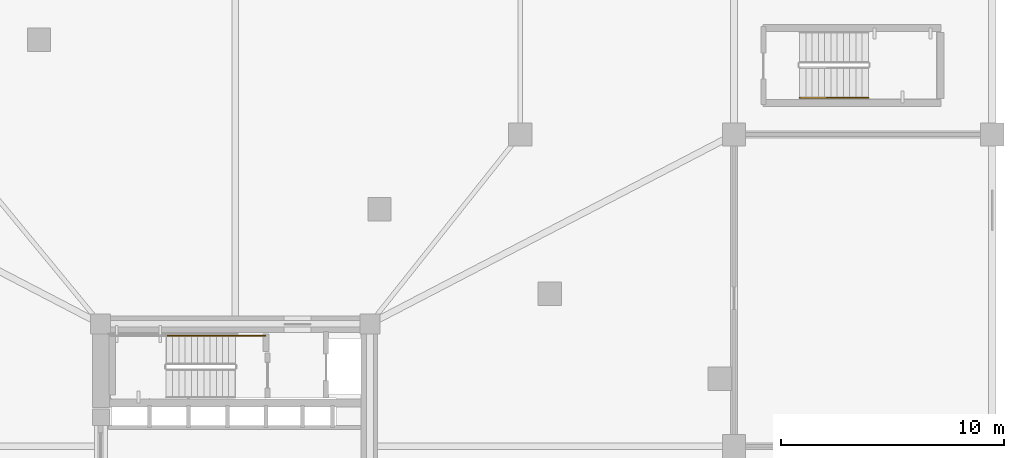
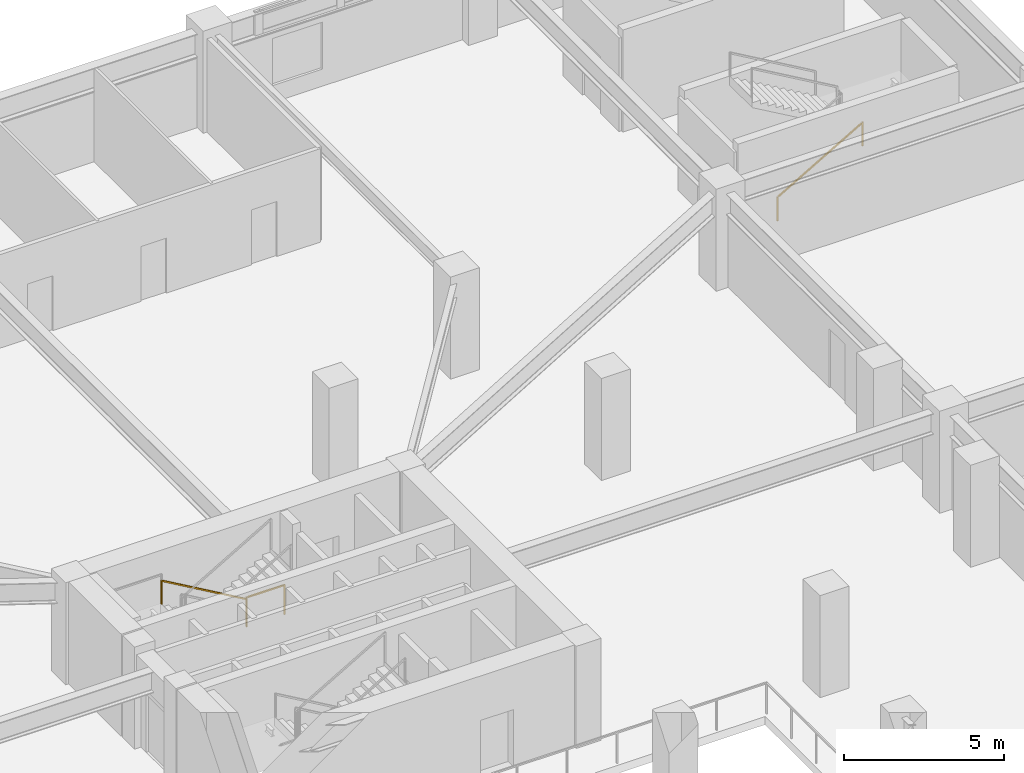
# One storey, part 15 of 16: 3 railings.
"""IFC4 building model written with IfcOpenShell, lengths in metres."""

from ifc_helpers import new_model, si_unit, direction, frame, origin, origin_2d, place, context, subcontext, project, spatial, rectangle, extrude, material, type_object, element, save


model = new_model("IFC4")

# Units and contexts
model_context = context("Model", 3, precision=1e-05, world=origin(), true_north=direction((0.0, 1.0)))
body_context = subcontext(model_context, "Body", "Model", "MODEL_VIEW")
ifc_project = project(units=[si_unit("LENGTHUNIT", "METRE"), si_unit("AREAUNIT", "SQUARE_METRE"), si_unit("VOLUMEUNIT", "CUBIC_METRE"), si_unit("PLANEANGLEUNIT", "RADIAN"), si_unit("MASSUNIT", "GRAM", prefix="KILO")], contexts=[model_context])

# Site, building, storey
site_placement = place(None, origin())
site = spatial("IfcSite", under=ifc_project, at=site_placement, CompositionType="ELEMENT")
building_placement = place(site_placement, origin())
building = spatial("IfcBuilding", under=site, at=building_placement, Name="Yunling Apex Tower", CompositionType="ELEMENT")
storey_placement = place(building_placement, frame((0.0, 0.0, 4.5)))
storey = spatial("IfcBuildingStorey", under=building, at=storey_placement, Name="L02", CompositionType="ELEMENT", Elevation=4.5)

# Railings
ifc_material_1 = material(Name="Steel Q355B", Category="steel")
railing_type_1 = type_object("IfcRailingType", Name="RL-GRD-1150", PredefinedType="GUARDRAIL", material=ifc_material_1)
railing_1_placement = place(storey_placement, frame((1.35009765625, 4.9599609375, 0.0)))
element("IfcRailing", 1, at=railing_1_placement, inside=storey, type_object=railing_type_1, Name="L02 ST-1 stair guard 6", PredefinedType="GUARDRAIL", context=body_context, shape_type="SweptSolid", body=[
    extrude(rectangle(XDim=0.0439453125, YDim=0.0439453125, at=origin_2d()), origin(), (0.0, 0.0, 1.0), 1.14990234375),
    extrude(rectangle(XDim=0.0439453125, YDim=0.0439453125, at=origin_2d()), frame((-1.360107421875, 0.0, 0.0)), (0.0, 0.0, 1.0), 1.14990234375),
    extrude(rectangle(XDim=0.050048828125, YDim=0.050048828125, at=origin_2d()), frame((-0.038330078125, 0.0, 1.125), z_axis=(-1.0, 0.0, 0.0), x_axis=(0.0, -1.0, 0.0)), (0.0, 0.0, 1.0), 1.283447265625),
])
ifc_material_2 = material(Name="Silver anodised aluminium", Category="aluminium")
railing_type_2 = type_object("IfcRailingType", Name="RL-HND-900", PredefinedType="HANDRAIL", material=ifc_material_2)
railing_2_placement = place(storey_placement, frame((-0.010009765625, 4.9599609375, 0.16259765625)))
element("IfcRailing", 2, at=railing_2_placement, inside=storey, type_object=railing_type_2, Name="L02 ST-1 stair handrail 1", PredefinedType="HANDRAIL", context=body_context, shape_type="SweptSolid", body=[
    extrude(rectangle(XDim=0.0439453125, YDim=0.0439453125, at=origin_2d()), origin(), (0.0, 0.0, 1.0), 0.919921875),
    extrude(rectangle(XDim=0.0439453125, YDim=0.0439453125, at=origin_2d()), frame((-3.080078125, 0.0, 1.787353515625)), (0.0, 0.0, 1.0), 0.919921875),
    extrude(rectangle(XDim=0.050048828125, YDim=0.050048828125, at=origin_2d()), frame((-0.033203125, 0.0, 0.9140625), z_axis=(-0.864920483161, 0.0, 0.501908913857), x_axis=(0.0, -1.0, 0.0)), (0.0, 0.0, 1.0), 3.484375),
])
railing_3_placement = place(storey_placement, frame((25.35009765625, 15.64990234375, 0.16259765625)))
element("IfcRailing", 3, at=railing_3_placement, inside=storey, type_object=railing_type_2, Name="L02 ST-P2 stair handrail 1", PredefinedType="HANDRAIL", context=body_context, shape_type="SweptSolid", body=[
    extrude(rectangle(XDim=0.0439453125, YDim=0.0439453125, at=origin_2d()), origin(), (0.0, 0.0, 1.0), 0.919921875),
    extrude(rectangle(XDim=0.0439453125, YDim=0.0439453125, at=origin_2d()), frame((3.079833984375, 0.0, 1.787353515625)), (0.0, 0.0, 1.0), 0.919921875),
    extrude(rectangle(XDim=0.050048828125, YDim=0.050048828125, at=origin_2d()), frame((0.033203125, 0.0, 0.9140625), z_axis=(0.864903211148, 0.0, 0.501938676878), x_axis=(0.0, 1.0, 0.0)), (0.0, 0.0, 1.0), 3.484130859375),
])

save(model, "model.ifc")
